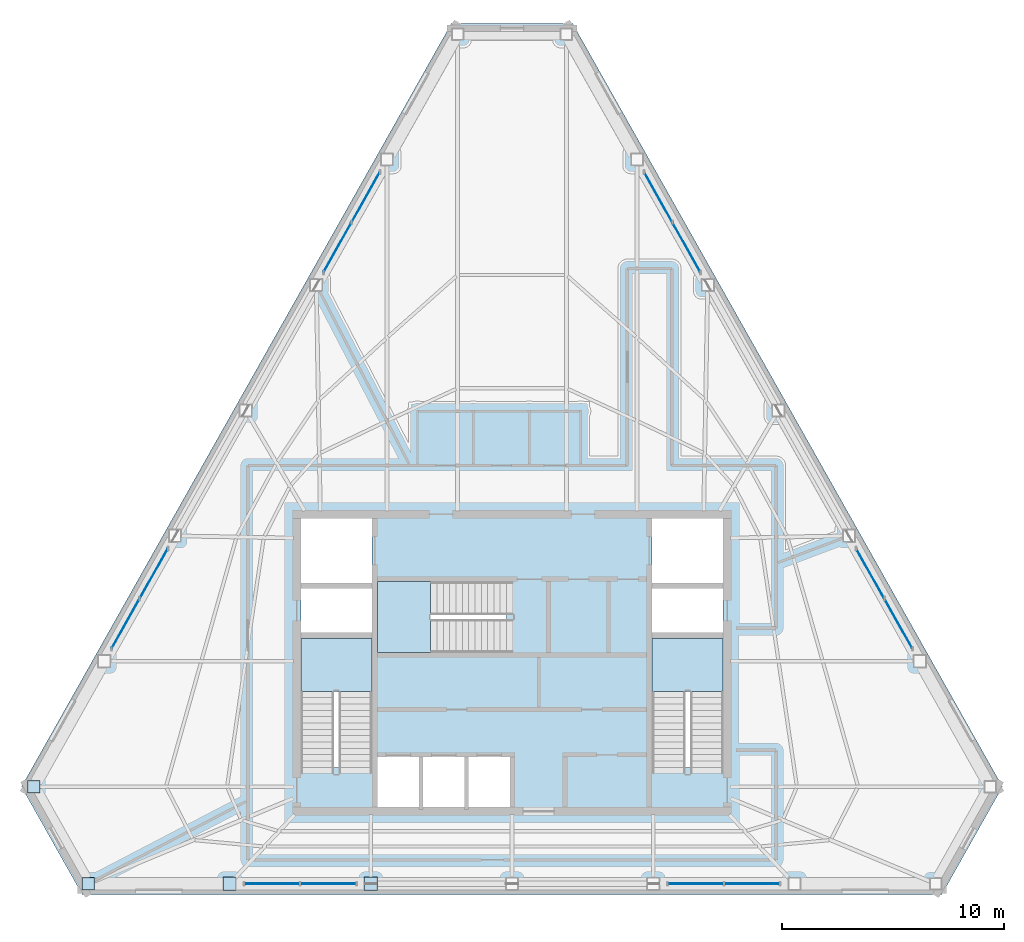
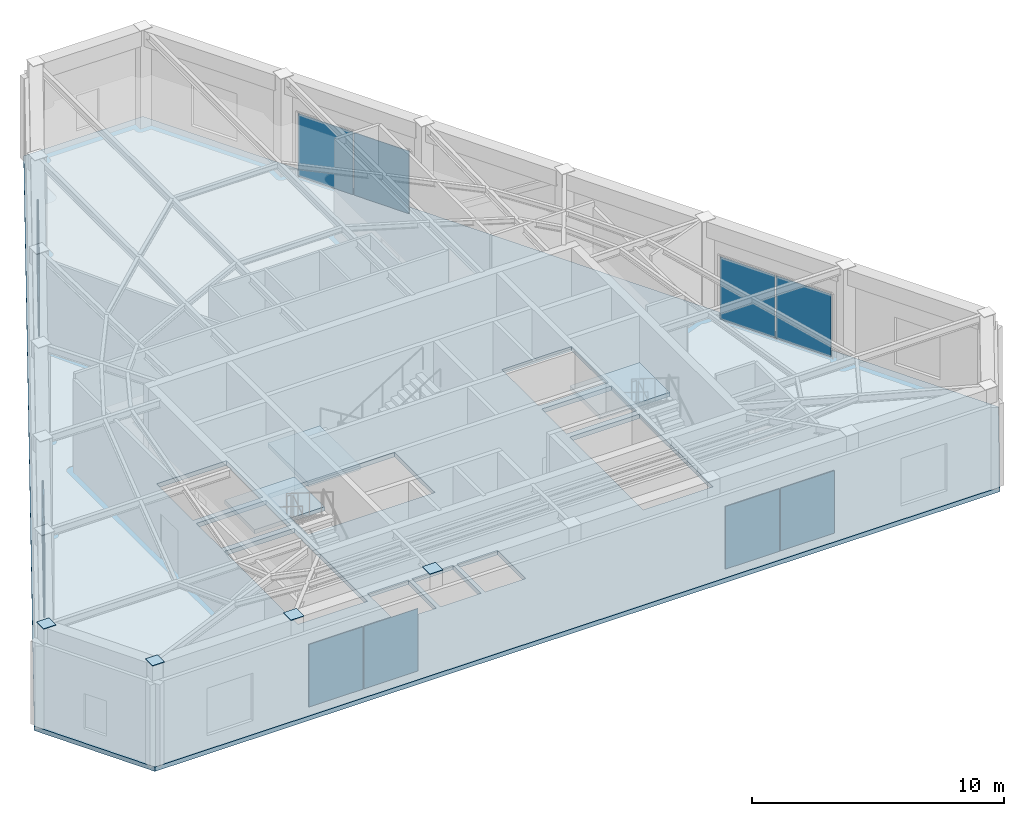
# One storey, part 6 of 15: 16 plates, 4 slabs, 9 elements without a shape of their own.
"""IFC4 building model written with IfcOpenShell, lengths in metres."""

import ifcopenshell
import ifcopenshell.guid

model = None  # the IFC model being written
_history = None  # IfcOwnerHistory: only IFC2X3 demands one
_inside = {}  # id of a spatial element -> (the spatial element, [elements in it])
_under = {}  # id of a project, library or spatial element -> (it, [spatial elements below it])
_declared = {}  # id of a project -> (the project, [libraries it declares])
_typed = {}  # id of a type object -> (the type object, [elements of that type])
_made_of = {}  # id of a material, layer set ... -> (it, [elements and type objects made of it])


def new_model(schema):
    """Start an empty IFC model of exactly this schema.

    Asked for "IFC4X3", IfcOpenShell would pick the latest addendum, in which some entities
    have other attributes; the version numbers below select the first issue.
    IFC2X3 requires an IfcOwnerHistory on every rooted entity: one is made here for all.
    """
    global model, _history
    if schema == "IFC4X3":
        model = ifcopenshell.file(schema_version=(4, 3, 0, 0))
    else:
        model = ifcopenshell.file(schema=schema)
    _inside.clear()
    _under.clear()
    _declared.clear()
    _typed.clear()
    _made_of.clear()
    _history = None
    if model.schema == "IFC2X3":
        org = make("IfcOrganization", Name="unknown")
        user = make(
            "IfcPersonAndOrganization",
            ThePerson=make("IfcPerson", FamilyName="unknown"),
            TheOrganization=org,
        )
        app = make(
            "IfcApplication",
            ApplicationDeveloper=org,
            Version="unknown",
            ApplicationFullName="unknown",
            ApplicationIdentifier="unknown",
        )
        _history = make(
            "IfcOwnerHistory",
            OwningUser=user,
            OwningApplication=app,
            ChangeAction="ADDED",
            CreationDate=0,
        )
    return model


def make(cls, **values):
    """One entity of the class cls with the attributes given. An attribute that is None is left unset."""
    return model.create_entity(
        cls, **{name: value for name, value in values.items() if value is not None}
    )


def rooted(cls, **values):
    """An entity with a GlobalId (a new one), such as an element, a storey or a relation."""
    return make(cls, GlobalId=ifcopenshell.guid.new(), OwnerHistory=_history, **values)


def si_unit(unit_type, name, prefix=None):
    """IfcSIUnit, for example si_unit("LENGTHUNIT", "METRE", prefix="MILLI")."""
    return make("IfcSIUnit", UnitType=unit_type, Prefix=prefix, Name=name)


def assignment(units):
    """IfcUnitAssignment: the units of a project."""
    return None if units is None else make("IfcUnitAssignment", Units=units)


def point(xyz):
    """IfcCartesianPoint."""
    return None if xyz is None else make("IfcCartesianPoint", Coordinates=xyz)


def direction(xyz):
    """IfcDirection."""
    return None if xyz is None else make("IfcDirection", DirectionRatios=xyz)


def frame(location, z_axis=None, x_axis=None):
    """IfcAxis2Placement3D, a coordinate frame: its origin and axes. An axis left out is left unset."""
    return make(
        "IfcAxis2Placement3D",
        Location=point(location),
        Axis=direction(z_axis),
        RefDirection=direction(x_axis),
    )


def frame_2d(location, x_axis=None):
    """IfcAxis2Placement2D, a coordinate frame in the plane: its origin and x axis."""
    return make(
        "IfcAxis2Placement2D", Location=point(location), RefDirection=direction(x_axis)
    )


def origin():
    """The frame at (0, 0, 0) with its axes left unset."""
    return frame((0.0, 0.0, 0.0))


def origin_2d():
    """The frame at (0, 0) in the plane with its x axis left unset."""
    return frame_2d((0.0, 0.0))


def place(relative_to, where):
    """IfcLocalPlacement: puts the frame where relative to a parent placement (None: the world)."""
    return make(
        "IfcLocalPlacement", PlacementRelTo=relative_to, RelativePlacement=where
    )


def context(
    kind, dimensions, precision=None, world=None, true_north=None, identifier=None
):
    """IfcGeometricRepresentationContext, for example the 3D "Model" context."""
    return make(
        "IfcGeometricRepresentationContext",
        ContextIdentifier=identifier,
        ContextType=kind,
        CoordinateSpaceDimension=dimensions,
        Precision=precision,
        WorldCoordinateSystem=world,
        TrueNorth=true_north,
    )


def subcontext(parent, identifier, kind, view, scale=None):
    """IfcGeometricRepresentationSubContext, for example "Body" below "Model"."""
    return make(
        "IfcGeometricRepresentationSubContext",
        ContextIdentifier=identifier,
        ContextType=kind,
        ParentContext=parent,
        TargetScale=scale,
        TargetView=view,
    )


def project(units=None, contexts=None):
    """IfcProject with its units and contexts."""
    return rooted(
        "IfcProject",
        Name="project",
        RepresentationContexts=contexts,
        UnitsInContext=assignment(units),
    )


def spatial(cls, under=None, at=None, **own):
    """A site, building, storey or space (cls), placed at a placement, below another one or the project."""
    s = rooted(cls, ObjectPlacement=at, **own)
    if under is not None:
        _under.setdefault(under.id(), (under, []))[1].append(s)
    return s


def polyline(points):
    """IfcPolyline through the points."""
    return make("IfcPolyline", Points=[point(p) for p in points])


def profile(cls, at=None, kind="AREA", **sizes):
    """A parametric profile (cls). Its sizes go by their IFC names, for example OverallWidth=200.0."""
    return make(cls, ProfileType=kind, Position=at, **sizes)


def rectangle(**sizes):
    """IfcRectangleProfileDef."""
    return profile("IfcRectangleProfileDef", **sizes)


def outline(outer, holes=None, kind="AREA"):
    """IfcArbitraryClosedProfileDef: a profile drawn as a closed curve; with holes, ...WithVoids."""
    if holes is None:
        return make("IfcArbitraryClosedProfileDef", ProfileType=kind, OuterCurve=outer)
    return make(
        "IfcArbitraryProfileDefWithVoids",
        ProfileType=kind,
        OuterCurve=outer,
        InnerCurves=holes,
    )


def extrude(swept, where, along, depth):
    """IfcExtrudedAreaSolid: the profile swept, set in the frame where, extruded along a direction by depth."""
    return make(
        "IfcExtrudedAreaSolid",
        SweptArea=swept,
        Position=where,
        ExtrudedDirection=direction(along),
        Depth=depth,
    )


def shape(context_of_items, identifier, shape_type, items):
    """IfcShapeRepresentation: the items that make up one representation, for example the "Body"."""
    return make(
        "IfcShapeRepresentation",
        ContextOfItems=context_of_items,
        RepresentationIdentifier=identifier,
        RepresentationType=shape_type,
        Items=items,
    )


def material(Name=None, Category=None):
    """IfcMaterial."""
    return make("IfcMaterial", Name=Name, Category=Category)


def layer(
    of_material, thickness, ventilated=None, Name=None, Category=None, Priority=None
):
    """IfcMaterialLayer: one layer of a wall or slab, of a material (None: an air gap)."""
    return make(
        "IfcMaterialLayer",
        Material=of_material,
        LayerThickness=thickness,
        IsVentilated=ventilated,
        Name=Name,
        Category=Category,
        Priority=Priority,
    )


def layer_set(layers, Name=None):
    """IfcMaterialLayerSet."""
    return make("IfcMaterialLayerSet", MaterialLayers=layers, LayerSetName=Name)


def made_of(thing, what):
    """Note that an element or type object is made of a material, layer set ...; save() writes the relation."""
    if what is not None:
        _made_of.setdefault(what.id(), (what, []))[1].append(thing)
    return thing


def type_object(cls, material=None, **own):
    """A type object (cls), such as IfcWallType, which elements share."""
    return made_of(rooted(cls, **own), material)


def element(
    cls,
    number,
    at=None,
    inside=None,
    cuts=None,
    type_object=None,
    material=None,
    context=None,
    identifier="Body",
    shape_type=None,
    held_by="IfcProductDefinitionShape",
    body=None,
    shapes=None,
    **own,
):
    """One element of the class cls, such as IfcWall. Its Tag is "e" and its number.

    at: its placement. inside: the storey or other place that contains it. cuts: it is an
    opening in that element (IfcRelVoidsElement). A single representation is given by context,
    identifier, shape_type and body (its items); several are given by shapes. held_by: the class
    of the entity that holds the representations. save() writes the other relations.
    """
    e = rooted(cls, Tag="e%d" % number, ObjectPlacement=at, **own)
    if body is not None:
        shapes = [shape(context, identifier, shape_type, body)]
    if shapes is not None:
        e.Representation = make(held_by, Representations=shapes)
    if inside is not None:
        _inside.setdefault(inside.id(), (inside, []))[1].append(e)
    if cuts is not None:
        rooted(
            "IfcRelVoidsElement", RelatingBuildingElement=cuts, RelatedOpeningElement=e
        )
    if type_object is not None:
        _typed.setdefault(type_object.id(), (type_object, []))[1].append(e)
    return made_of(e, material)


def aggregate(whole, parts):
    """IfcRelAggregates: a whole, such as a stair, and the parts it consists of."""
    return rooted("IfcRelAggregates", RelatingObject=whole, RelatedObjects=parts)


def save(model, path):
    """Write the relations noted so far, then the file.

    IfcRelAggregates (storeys below a building ...), IfcRelContainedInSpatialStructure (elements
    in a storey), IfcRelDefinesByType, IfcRelAssociatesMaterial and IfcRelDeclares: one each for
    every whole, place, type object, material and project.
    """
    for whole, parts in _under.values():
        aggregate(whole, parts)
    for where, things in _inside.values():
        rooted(
            "IfcRelContainedInSpatialStructure",
            RelatedElements=things,
            RelatingStructure=where,
        )
    for kind, things in _typed.values():
        rooted("IfcRelDefinesByType", RelatedObjects=things, RelatingType=kind)
    for what, things in _made_of.values():
        rooted("IfcRelAssociatesMaterial", RelatedObjects=things, RelatingMaterial=what)
    for by, libraries in _declared.values():
        rooted("IfcRelDeclares", RelatingContext=by, RelatedDefinitions=libraries)
    model.write(path)


model = new_model("IFC4")

# Units and contexts
model_context = context("Model", 3, precision=1e-05, world=origin(), true_north=direction((0.0, 1.0)))
body_context = subcontext(model_context, "Body", "Model", "MODEL_VIEW")
ifc_project = project(units=[si_unit("LENGTHUNIT", "METRE"), si_unit("AREAUNIT", "SQUARE_METRE"), si_unit("VOLUMEUNIT", "CUBIC_METRE"), si_unit("PLANEANGLEUNIT", "RADIAN"), si_unit("MASSUNIT", "GRAM", prefix="KILO")], contexts=[model_context])

# Site, building, storey
site_placement = place(None, origin())
site = spatial("IfcSite", under=ifc_project, at=site_placement, CompositionType="ELEMENT")
building_placement = place(site_placement, origin())
building = spatial("IfcBuilding", under=site, at=building_placement, Name="Kavelnor Concourse Tower", CompositionType="ELEMENT")
storey_placement = place(building_placement, frame((0.0, 0.0, 304.949951171875)))
storey = spatial("IfcBuildingStorey", under=building, at=storey_placement, Name="L77", CompositionType="ELEMENT", Elevation=304.949951171875)

# Curtain wall, plates
ifc_material_1 = material(Name="Anodised aluminium 6063-T6", Category="aluminium")
ifc_layer_1 = layer(ifc_material_1, 0.195068359375, Name="Anodised aluminium 6063-T6")
ifc_layer_set_1 = layer_set([ifc_layer_1], Name="Anodised aluminium 6063-T6")
curtain_wall_type = type_object("IfcCurtainWallType", Name="CW-OBSERVATION-L77", PredefinedType="NOTDEFINED", material=ifc_layer_set_1)
curtain_wall_1_placement = place(storey_placement, origin())
curtain_wall_1 = element("IfcCurtainWall", 1, at=curtain_wall_1_placement, inside=storey, type_object=curtain_wall_type, Name="L77 Feature Curtain Wall F0-B1", PredefinedType="NOTDEFINED")
ifc_material_2 = material(Name="Double low-E argon insulated glazing", Category="glass")
ifc_layer_2 = layer(ifc_material_2, 0.033935546875, Name="Double low-E argon insulated glazing")
ifc_layer_set_2 = layer_set([ifc_layer_2], Name="Double low-E argon insulated glazing")
plate_type_1 = type_object("IfcPlateType", Name="CW-OBSERVATION-L77-PANEL", PredefinedType="CURTAIN_PANEL", material=ifc_layer_set_2)
plate_1_placement = place(storey_placement, frame((31.40673828125, 37.08544921875, 0.06005859375), z_axis=(0.0, 0.0, 1.0), x_axis=(-0.490751690644, -0.871299476719, 0.0)))
plate_1 = element("IfcPlate", 2, at=plate_1_placement, type_object=plate_type_1, Name="L77 Feature Curtain Wall F0-B1 Vision Panel 1", PredefinedType="CURTAIN_PANEL", context=body_context, shape_type="SweptSolid", body=[
    extrude(rectangle(XDim=2.535888671875, YDim=0.033935546875, at=origin_2d()), origin(), (0.0, 0.0, 1.0), 3.030029296875),
])
plate_2_placement = place(storey_placement, frame((30.13330078125, 34.824462890625, 0.06005859375), z_axis=(0.0, 0.0, 1.0), x_axis=(-0.490751690644, -0.871299476719, 0.0)))
plate_2 = element("IfcPlate", 3, at=plate_2_placement, type_object=plate_type_1, Name="L77 Feature Curtain Wall F0-B1 Vision Panel 2", PredefinedType="CURTAIN_PANEL", context=body_context, shape_type="SweptSolid", body=[
    extrude(rectangle(XDim=2.535888671875, YDim=0.033935546875, at=origin_2d()), origin(), (0.0, 0.0, 1.0), 3.030029296875),
])
aggregate(curtain_wall_1, [plate_1, plate_2])

curtain_wall_2_placement = place(storey_placement, origin())
curtain_wall_2 = element("IfcCurtainWall", 4, at=curtain_wall_2_placement, inside=storey, type_object=curtain_wall_type, Name="L77 Feature Curtain Wall F0-B4", PredefinedType="NOTDEFINED")
plate_3_placement = place(storey_placement, frame((21.851806640625, 20.12060546875, 0.06005859375), z_axis=(0.0, 0.0, 1.0), x_axis=(-0.490751690644, -0.871299476719, 0.0)))
plate_3 = element("IfcPlate", 5, at=plate_3_placement, type_object=plate_type_1, Name="L77 Feature Curtain Wall F0-B4 Vision Panel 1", PredefinedType="CURTAIN_PANEL", context=body_context, shape_type="SweptSolid", body=[
    extrude(rectangle(XDim=2.535888671875, YDim=0.033935546875, at=origin_2d()), origin(), (0.0, 0.0, 1.0), 3.030029296875),
])
plate_4_placement = place(storey_placement, frame((20.578369140625, 17.859619140625, 0.06005859375), z_axis=(0.0, 0.0, 1.0), x_axis=(-0.490751690644, -0.871299476719, 0.0)))
plate_4 = element("IfcPlate", 6, at=plate_4_placement, type_object=plate_type_1, Name="L77 Feature Curtain Wall F0-B4 Vision Panel 2", PredefinedType="CURTAIN_PANEL", context=body_context, shape_type="SweptSolid", body=[
    extrude(rectangle(XDim=2.535888671875, YDim=0.033935546875, at=origin_2d()), origin(), (0.0, 0.0, 1.0), 3.030029296875),
])
aggregate(curtain_wall_2, [plate_3, plate_4])

curtain_wall_3_placement = place(storey_placement, origin())
curtain_wall_3 = element("IfcCurtainWall", 7, at=curtain_wall_3_placement, inside=storey, type_object=curtain_wall_type, Name="L77 Feature Curtain Wall F1-B1", PredefinedType="NOTDEFINED")
plate_5_placement = place(storey_placement, frame((27.18359375, 6.135009765625, 0.06005859375), z_axis=(0.0, 0.0, 1.0), x_axis=(1.0, 0.0, 0.0)))
plate_5 = element("IfcPlate", 8, at=plate_5_placement, type_object=plate_type_1, Name="L77 Feature Curtain Wall F1-B1 Vision Panel 1", PredefinedType="CURTAIN_PANEL", context=body_context, shape_type="SweptSolid", body=[
    extrude(rectangle(XDim=2.474365234375, YDim=0.033935546875, at=origin_2d()), origin(), (0.0, 0.0, 1.0), 3.030029296875),
])
plate_6_placement = place(storey_placement, frame((29.716796875, 6.135009765625, 0.06005859375), z_axis=(0.0, 0.0, 1.0), x_axis=(1.0, 0.0, 0.0)))
plate_6 = element("IfcPlate", 9, at=plate_6_placement, type_object=plate_type_1, Name="L77 Feature Curtain Wall F1-B1 Vision Panel 2", PredefinedType="CURTAIN_PANEL", context=body_context, shape_type="SweptSolid", body=[
    extrude(rectangle(XDim=2.474365234375, YDim=0.033935546875, at=origin_2d()), origin(), (0.0, 0.0, 1.0), 3.030029296875),
])
aggregate(curtain_wall_3, [plate_5, plate_6])

curtain_wall_4_placement = place(storey_placement, origin())
curtain_wall_4 = element("IfcCurtainWall", 10, at=curtain_wall_4_placement, inside=storey, type_object=curtain_wall_type, Name="L77 Feature Curtain Wall F1-B4", PredefinedType="NOTDEFINED")
plate_7_placement = place(storey_placement, frame((46.283203125, 6.135009765625, 0.06005859375), z_axis=(0.0, 0.0, 1.0), x_axis=(1.0, 0.0, 0.0)))
plate_7 = element("IfcPlate", 11, at=plate_7_placement, type_object=plate_type_1, Name="L77 Feature Curtain Wall F1-B4 Vision Panel 1", PredefinedType="CURTAIN_PANEL", context=body_context, shape_type="SweptSolid", body=[
    extrude(rectangle(XDim=2.474365234375, YDim=0.033935546875, at=origin_2d()), origin(), (0.0, 0.0, 1.0), 3.030029296875),
])
plate_8_placement = place(storey_placement, frame((48.81640625, 6.135009765625, 0.06005859375), z_axis=(0.0, 0.0, 1.0), x_axis=(1.0, 0.0, 0.0)))
plate_8 = element("IfcPlate", 12, at=plate_8_placement, type_object=plate_type_1, Name="L77 Feature Curtain Wall F1-B4 Vision Panel 2", PredefinedType="CURTAIN_PANEL", context=body_context, shape_type="SweptSolid", body=[
    extrude(rectangle(XDim=2.474365234375, YDim=0.033935546875, at=origin_2d()), origin(), (0.0, 0.0, 1.0), 3.030029296875),
])
aggregate(curtain_wall_4, [plate_7, plate_8])

curtain_wall_5_placement = place(storey_placement, origin())
curtain_wall_5 = element("IfcCurtainWall", 13, at=curtain_wall_5_placement, inside=storey, type_object=curtain_wall_type, Name="L77 Feature Curtain Wall F2-B1", PredefinedType="NOTDEFINED")
plate_9_placement = place(storey_placement, frame((55.421630859375, 17.859375, 0.06005859375), z_axis=(0.0, 0.0, 1.0), x_axis=(-0.490751690644, 0.871299476719, 0.0)))
plate_9 = element("IfcPlate", 14, at=plate_9_placement, type_object=plate_type_1, Name="L77 Feature Curtain Wall F2-B1 Vision Panel 1", PredefinedType="CURTAIN_PANEL", context=body_context, shape_type="SweptSolid", body=[
    extrude(rectangle(XDim=2.535888671875, YDim=0.033935546875, at=origin_2d()), origin(), (0.0, 0.0, 1.0), 3.030029296875),
])
plate_10_placement = place(storey_placement, frame((54.148193359375, 20.12060546875, 0.06005859375), z_axis=(0.0, 0.0, 1.0), x_axis=(-0.490751690644, 0.871299476719, 0.0)))
plate_10 = element("IfcPlate", 15, at=plate_10_placement, type_object=plate_type_1, Name="L77 Feature Curtain Wall F2-B1 Vision Panel 2", PredefinedType="CURTAIN_PANEL", context=body_context, shape_type="SweptSolid", body=[
    extrude(rectangle(XDim=2.535888671875, YDim=0.033935546875, at=origin_2d()), origin(), (0.0, 0.0, 1.0), 3.030029296875),
])
aggregate(curtain_wall_5, [plate_9, plate_10])

curtain_wall_6_placement = place(storey_placement, origin())
curtain_wall_6 = element("IfcCurtainWall", 16, at=curtain_wall_6_placement, inside=storey, type_object=curtain_wall_type, Name="L77 Feature Curtain Wall F2-B4", PredefinedType="NOTDEFINED")
plate_11_placement = place(storey_placement, frame((45.86669921875, 34.82421875, 0.06005859375), z_axis=(0.0, 0.0, 1.0), x_axis=(-0.490751690644, 0.871299476719, 0.0)))
plate_11 = element("IfcPlate", 17, at=plate_11_placement, type_object=plate_type_1, Name="L77 Feature Curtain Wall F2-B4 Vision Panel 1", PredefinedType="CURTAIN_PANEL", context=body_context, shape_type="SweptSolid", body=[
    extrude(rectangle(XDim=2.535888671875, YDim=0.033935546875, at=origin_2d()), origin(), (0.0, 0.0, 1.0), 3.030029296875),
])
plate_12_placement = place(storey_placement, frame((44.59326171875, 37.08544921875, 0.06005859375), z_axis=(0.0, 0.0, 1.0), x_axis=(-0.490751690644, 0.871299476719, 0.0)))
plate_12 = element("IfcPlate", 18, at=plate_12_placement, type_object=plate_type_1, Name="L77 Feature Curtain Wall F2-B4 Vision Panel 2", PredefinedType="CURTAIN_PANEL", context=body_context, shape_type="SweptSolid", body=[
    extrude(rectangle(XDim=2.535888671875, YDim=0.033935546875, at=origin_2d()), origin(), (0.0, 0.0, 1.0), 3.030029296875),
])
aggregate(curtain_wall_6, [plate_11, plate_12])

# Plates
ifc_material_3 = material(Name="Steel Grade 350", Category="steel")
ifc_layer_3 = layer(ifc_material_3, 0.02490234375, Name="Steel Grade 350")
ifc_layer_set_3 = layer_set([ifc_layer_3], Name="Steel Grade 350")
plate_type_2 = type_object("IfcPlateType", Name="PL-SPLICE-FLANGE", PredefinedType="SHEET", material=ifc_layer_set_3)
for number, where, z_axis, x_axis, name in (
    (19, (16.437744140625, 10.507568359375, 4.76708984375), (0.0, 0.0, 1.0), (1.0, 0.0, 0.0), "L77 Column Top Cap Plate F0-B6"),
    (20, (18.900390625, 6.135009765625, 4.76708984375), (0.0, 0.0, 1.0), (1.0, 0.0, 0.0), "L77 Column Top Cap Plate F1-B0"),
):
    element("IfcPlate", number, at=place(storey_placement, frame(where, z_axis=z_axis, x_axis=x_axis)), inside=storey, type_object=plate_type_2, Name=name, PredefinedType="SHEET", context=body_context, shape_type="SweptSolid", body=[
        extrude(rectangle(XDim=0.56005859375, YDim=0.56005859375, at=origin_2d()), origin(), (0.0, 0.0, 1.0), 0.02490234375),
    ])
for number, where, z_axis, x_axis, name in (
    (21, (25.266845703125, 6.135009765625, 4.76708984375), (0.0, 0.0, 1.0), (1.0, 0.0, 0.0), "L77 Column Top Cap Plate F1-B1"),
    (22, (31.633544921875, 6.135009765625, 4.76708984375), (0.0, 0.0, 1.0), (1.0, 0.0, 0.0), "L77 Column Top Cap Plate F1-B2"),
):
    element("IfcPlate", number, at=place(storey_placement, frame(where, z_axis=z_axis, x_axis=x_axis)), inside=storey, type_object=plate_type_2, Name=name, PredefinedType="SHEET", context=body_context, shape_type="SweptSolid", body=[
        extrude(rectangle(XDim=0.60009765625, YDim=0.60009765625, at=origin_2d()), origin(), (0.0, 0.0, 1.0), 0.02490234375),
    ])

# Stair, slab
ifc_material_4 = material(Name="Concrete C40/50", Category="concrete")
stair_type = type_object("IfcStairType", Name="STR-CORE-1500", PredefinedType="HALF_TURN_STAIR", material=ifc_material_4)
stair_1_placement = place(storey_placement, origin())
stair_1 = element("IfcStair", 23, at=stair_1_placement, inside=storey, type_object=stair_type, Name="L77 ST1", PredefinedType="HALF_TURN_STAIR")
ifc_layer_4 = layer(ifc_material_4, 0.199951171875, Name="Concrete C40/50")
ifc_layer_set_4 = layer_set([ifc_layer_4], Name="Concrete C40/50")
slab_type_1 = type_object("IfcSlabType", Name="SLB-LANDING-200", PredefinedType="LANDING", material=ifc_layer_set_4)
slab_1_placement = place(storey_placement, frame((0.0, 0.0, 2.300048828125)))
slab_1 = element("IfcSlab", 24, at=slab_1_placement, type_object=slab_type_1, Name="ST1 landing 1", PredefinedType="LANDING", context=body_context, shape_type="SweptSolid", body=[
    extrude(outline(polyline([(31.679931640625, 14.804931640625), (31.679931640625, 17.199951171875), (28.47998046875, 17.199951171875), (28.47998046875, 14.804931640625), (31.679931640625, 14.804931640625)])), origin(), (0.0, 0.0, 1.0), 0.199951171875),
])
aggregate(stair_1, [slab_1])

stair_2_placement = place(storey_placement, origin())
stair_2 = element("IfcStair", 25, at=stair_2_placement, inside=storey, type_object=stair_type, Name="L77 ST2", PredefinedType="HALF_TURN_STAIR")
slab_2_placement = place(storey_placement, frame((0.0, 0.0, 2.300048828125)))
slab_2 = element("IfcSlab", 26, at=slab_2_placement, type_object=slab_type_1, Name="ST2 landing 1", PredefinedType="LANDING", context=body_context, shape_type="SweptSolid", body=[
    extrude(outline(polyline([(47.52001953125, 14.804931640625), (47.52001953125, 17.199951171875), (44.320068359375, 17.199951171875), (44.320068359375, 14.804931640625), (47.52001953125, 14.804931640625)])), origin(), (0.0, 0.0, 1.0), 0.199951171875),
])
aggregate(stair_2, [slab_2])

stair_3_placement = place(storey_placement, origin())
stair_3 = element("IfcStair", 27, at=stair_3_placement, inside=storey, type_object=stair_type, Name="L77 ST3", PredefinedType="HALF_TURN_STAIR")
slab_3_placement = place(storey_placement, frame((0.0, 0.0, 2.300048828125)))
slab_3 = element("IfcSlab", 28, at=slab_3_placement, type_object=slab_type_1, Name="ST3 landing 1", PredefinedType="LANDING", context=body_context, shape_type="SweptSolid", body=[
    extrude(outline(polyline([(34.3349609375, 19.760009765625), (31.93994140625, 19.760009765625), (31.93994140625, 16.56005859375), (34.3349609375, 16.56005859375), (34.3349609375, 19.760009765625)])), origin(), (0.0, 0.0, 1.0), 0.199951171875),
])
aggregate(stair_3, [slab_3])

# Slab
ifc_layer_5 = layer(ifc_material_4, 0.215087890625, Name="Concrete C40/50")
ifc_layer_set_5 = layer_set([ifc_layer_5], Name="Concrete C40/50")
slab_type_2 = type_object("IfcSlabType", Name="SLB-SKYLOBBY-215", PredefinedType="FLOOR", material=ifc_layer_set_5)
slab_4_placement = place(storey_placement, frame((0.0, 0.0, -0.21484375)))
element("IfcSlab", 29, at=slab_4_placement, inside=storey, type_object=slab_type_2, Name="L77 Composite Structural Floor Slab", PredefinedType="FLOOR", context=body_context, shape_type="SweptSolid", body=[
    extrude(outline(polyline([(40.733154296875, 44.917236328125), (35.266845703125, 44.917236328125), (15.88671875, 10.507568359375), (18.619873046875, 5.655029296875), (57.380126953125, 5.655029296875), (60.11328125, 10.507568359375), (40.733154296875, 44.917236328125)]), holes=[polyline([(28.47998046875, 11.3798828125), (31.679931640625, 11.3798828125), (31.679931640625, 17.199951171875), (28.47998046875, 17.199951171875), (28.47998046875, 11.3798828125)]), polyline([(44.320068359375, 11.3798828125), (47.52001953125, 11.3798828125), (47.52001953125, 17.199951171875), (44.320068359375, 17.199951171875), (44.320068359375, 11.3798828125)]), polyline([(31.93994140625, 16.56005859375), (37.760009765625, 16.56005859375), (37.760009765625, 19.760009765625), (31.93994140625, 19.760009765625), (31.93994140625, 16.56005859375)]), polyline([(28.47998046875, 19.699951171875), (31.679931640625, 19.699951171875), (31.679931640625, 22.60009765625), (28.47998046875, 22.60009765625), (28.47998046875, 19.699951171875)]), polyline([(44.320068359375, 19.699951171875), (47.52001953125, 19.699951171875), (47.52001953125, 22.60009765625), (44.320068359375, 22.60009765625), (44.320068359375, 19.699951171875)]), polyline([(31.93994140625, 9.60009765625), (33.81005859375, 9.60009765625), (33.81005859375, 11.840087890625), (31.93994140625, 11.840087890625), (31.93994140625, 9.60009765625)]), polyline([(33.989990234375, 9.60009765625), (35.860107421875, 9.60009765625), (35.860107421875, 11.840087890625), (33.989990234375, 11.840087890625), (33.989990234375, 9.60009765625)]), polyline([(36.0400390625, 9.60009765625), (37.909912109375, 9.60009765625), (37.909912109375, 11.840087890625), (36.0400390625, 11.840087890625), (36.0400390625, 9.60009765625)]), polyline([(28.47998046875, 17.4599609375), (31.679931640625, 17.4599609375), (31.679931640625, 19.43994140625), (28.47998046875, 19.43994140625), (28.47998046875, 17.4599609375)]), polyline([(44.320068359375, 17.4599609375), (47.52001953125, 17.4599609375), (47.52001953125, 19.43994140625), (44.320068359375, 19.43994140625), (44.320068359375, 17.4599609375)])]), origin(), (0.0, 0.0, 1.0), 0.21484375),
])

save(model, "model.ifc")
